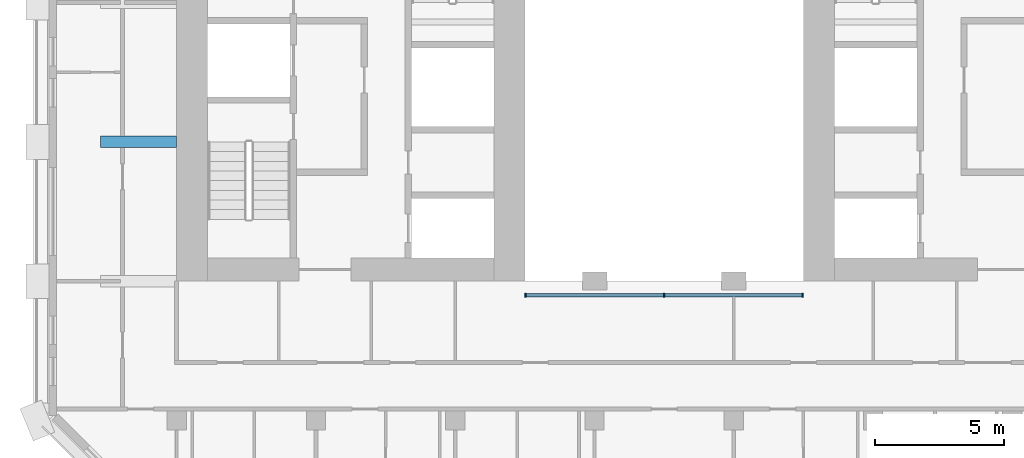
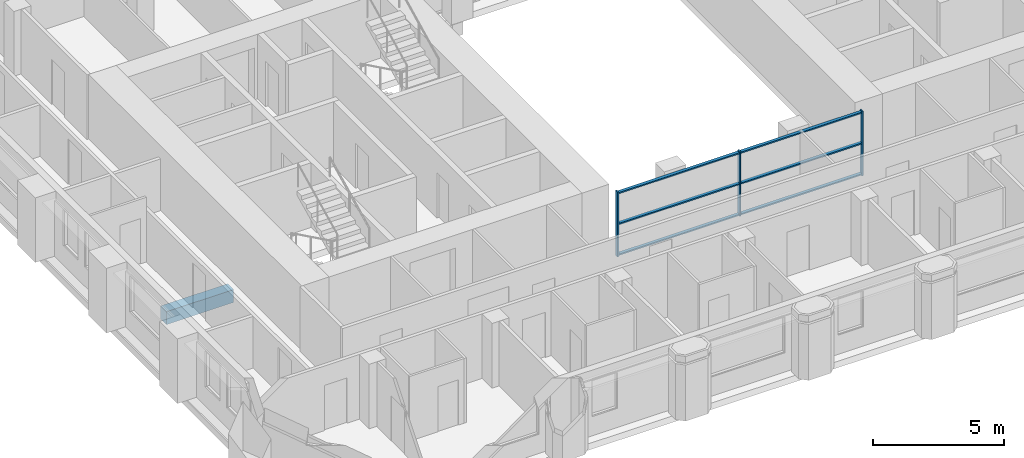
# One storey, part 2 of 13: 9 members, 1 beam, 1 element without a shape of its own.
"""IFC4 building model written with IfcOpenShell, lengths in metres."""

from ifc_helpers import new_model, si_unit, direction, frame, origin, origin_2d, place, context, subcontext, project, spatial, rectangle, extrude, material, material_profile, profile_set, type_object, element, aggregate, save


model = new_model("IFC4")

# Units and contexts
model_context = context("Model", 3, precision=1e-05, world=origin(), true_north=direction((0.0, 1.0)))
body_context = subcontext(model_context, "Body", "Model", "MODEL_VIEW")
ifc_project = project(units=[si_unit("LENGTHUNIT", "METRE"), si_unit("AREAUNIT", "SQUARE_METRE"), si_unit("VOLUMEUNIT", "CUBIC_METRE"), si_unit("PLANEANGLEUNIT", "RADIAN"), si_unit("MASSUNIT", "GRAM", prefix="KILO")], contexts=[model_context])

# Site, building, storey
site_placement = place(None, origin())
site = spatial("IfcSite", under=ifc_project, at=site_placement, CompositionType="ELEMENT")
building_placement = place(site_placement, origin())
building = spatial("IfcBuilding", under=site, at=building_placement, Name="Tabaq Tower and Sports Hall", CompositionType="ELEMENT")
storey_placement = place(building_placement, frame((0.0, 0.0, 220.300048828125)))
storey = spatial("IfcBuildingStorey", under=building, at=storey_placement, Name="L55", CompositionType="ELEMENT", Elevation=220.300048828125)

# Curtain wall, members
ifc_material_1 = material(Name="Aluminium alloy 6063-T6 framed glazing", Category="aluminium")
curtain_wall_type = type_object("IfcCurtainWallType", Name="CW1 curtain wall", PredefinedType="USERDEFINED", material=ifc_material_1)
curtain_wall_placement = place(storey_placement, origin())
curtain_wall = element("IfcCurtainWall", 1, at=curtain_wall_placement, inside=storey, type_object=curtain_wall_type, Name="Atrium glazing L55 S", ObjectType="ATRIUM ENCLOSURE", PredefinedType="USERDEFINED")
ifc_material_2 = material(Name="Aluminium alloy 6063-T6", Category="aluminium")
ifc_material_profile_1 = material_profile(ifc_material_2, rectangle(XDim=0.159912109375, YDim=0.06005859375, at=origin_2d()), Name="MULLION 160x60")
ifc_profile_set_1 = profile_set([ifc_material_profile_1], Name="Aluminium alloy 6063-T6")
member_type_1 = type_object("IfcMemberType", Name="CW1 mullion 160x60", PredefinedType="MULLION", material=ifc_profile_set_1)
member_1_placement = place(storey_placement, frame((18.929931640625, 15.64990234375, 0.0), z_axis=(0.0, 0.0, 1.0), x_axis=(0.0, 1.0, 0.0)))
member_1 = element("IfcMember", 2, at=member_1_placement, type_object=member_type_1, Name="CW1 mullion 1", PredefinedType="MULLION", context=body_context, shape_type="SweptSolid", body=[
    extrude(rectangle(XDim=0.159912109375, YDim=0.06005859375, at=origin_2d()), origin(), (0.0, 0.0, 1.0), 3.0),
])
member_2_placement = place(storey_placement, frame((24.300048828125, 15.64990234375, 0.0), z_axis=(0.0, 0.0, 1.0), x_axis=(0.0, 1.0, 0.0)))
member_2 = element("IfcMember", 3, at=member_2_placement, type_object=member_type_1, Name="CW1 mullion 2", PredefinedType="MULLION", context=body_context, shape_type="SweptSolid", body=[
    extrude(rectangle(XDim=0.159912109375, YDim=0.06005859375, at=origin_2d()), origin(), (0.0, 0.0, 1.0), 3.0),
])
member_3_placement = place(storey_placement, frame((29.669921875, 15.64990234375, 0.0), z_axis=(0.0, 0.0, 1.0), x_axis=(0.0, 1.0, 0.0)))
member_3 = element("IfcMember", 4, at=member_3_placement, type_object=member_type_1, Name="CW1 mullion 3", PredefinedType="MULLION", context=body_context, shape_type="SweptSolid", body=[
    extrude(rectangle(XDim=0.159912109375, YDim=0.06005859375, at=origin_2d()), origin(), (0.0, 0.0, 1.0), 3.0),
])
ifc_material_3 = material(Name="Aluminium alloy 6063-T6", Category="aluminium")
ifc_material_profile_2 = material_profile(ifc_material_3, rectangle(XDim=0.139892578125, YDim=0.06005859375, at=origin_2d()), Name="TRANSOM 140x60")
ifc_profile_set_2 = profile_set([ifc_material_profile_2], Name="Aluminium alloy 6063-T6")
member_type_2 = type_object("IfcMemberType", Name="CW1 transom 140x60", PredefinedType="USERDEFINED", material=ifc_profile_set_2)
member_4_placement = place(storey_placement, frame((18.9599609375, 15.64990234375, 0.070068359375), z_axis=(1.0, 0.0, 0.0), x_axis=(0.0, 1.0, 0.0)))
member_4 = element("IfcMember", 5, at=member_4_placement, type_object=member_type_2, Name="CW1 transom 1.1", ObjectType="TRANSOM", PredefinedType="USERDEFINED", context=body_context, shape_type="SweptSolid", body=[
    extrude(rectangle(XDim=0.139892578125, YDim=0.06005859375, at=origin_2d()), origin(), (0.0, 0.0, 1.0), 5.31005859375),
])
member_5_placement = place(storey_placement, frame((18.9599609375, 15.64990234375, 1.5), z_axis=(1.0, 0.0, 0.0), x_axis=(0.0, 1.0, 0.0)))
member_5 = element("IfcMember", 6, at=member_5_placement, type_object=member_type_2, Name="CW1 transom 1.2", ObjectType="TRANSOM", PredefinedType="USERDEFINED", context=body_context, shape_type="SweptSolid", body=[
    extrude(rectangle(XDim=0.139892578125, YDim=0.06005859375, at=origin_2d()), origin(), (0.0, 0.0, 1.0), 5.31005859375),
])
member_6_placement = place(storey_placement, frame((18.9599609375, 15.64990234375, 2.929931640625), z_axis=(1.0, 0.0, 0.0), x_axis=(0.0, 1.0, 0.0)))
member_6 = element("IfcMember", 7, at=member_6_placement, type_object=member_type_2, Name="CW1 transom 1.3", ObjectType="TRANSOM", PredefinedType="USERDEFINED", context=body_context, shape_type="SweptSolid", body=[
    extrude(rectangle(XDim=0.139892578125, YDim=0.06005859375, at=origin_2d()), origin(), (0.0, 0.0, 1.0), 5.31005859375),
])
member_7_placement = place(storey_placement, frame((24.330078125, 15.64990234375, 0.070068359375), z_axis=(1.0, 0.0, 0.0), x_axis=(0.0, 1.0, 0.0)))
member_7 = element("IfcMember", 8, at=member_7_placement, type_object=member_type_2, Name="CW1 transom 2.1", ObjectType="TRANSOM", PredefinedType="USERDEFINED", context=body_context, shape_type="SweptSolid", body=[
    extrude(rectangle(XDim=0.139892578125, YDim=0.06005859375, at=origin_2d()), origin(), (0.0, 0.0, 1.0), 5.309814453125),
])
member_8_placement = place(storey_placement, frame((24.330078125, 15.64990234375, 1.5), z_axis=(1.0, 0.0, 0.0), x_axis=(0.0, 1.0, 0.0)))
member_8 = element("IfcMember", 9, at=member_8_placement, type_object=member_type_2, Name="CW1 transom 2.2", ObjectType="TRANSOM", PredefinedType="USERDEFINED", context=body_context, shape_type="SweptSolid", body=[
    extrude(rectangle(XDim=0.139892578125, YDim=0.06005859375, at=origin_2d()), origin(), (0.0, 0.0, 1.0), 5.309814453125),
])
member_9_placement = place(storey_placement, frame((24.330078125, 15.64990234375, 2.929931640625), z_axis=(1.0, 0.0, 0.0), x_axis=(0.0, 1.0, 0.0)))
member_9 = element("IfcMember", 10, at=member_9_placement, type_object=member_type_2, Name="CW1 transom 2.3", ObjectType="TRANSOM", PredefinedType="USERDEFINED", context=body_context, shape_type="SweptSolid", body=[
    extrude(rectangle(XDim=0.139892578125, YDim=0.06005859375, at=origin_2d()), origin(), (0.0, 0.0, 1.0), 5.309814453125),
])
aggregate(curtain_wall, [member_1, member_2, member_3, member_4, member_5, member_6, member_7, member_8, member_9])

# Beam
ifc_material_4 = material(Name="Concrete C40/50", Category="concrete")
ifc_material_profile_3 = material_profile(ifc_material_4, rectangle(XDim=0.449951171875, YDim=0.60009765625, at=origin_2d()), Name="CB 450x600")
ifc_profile_set_3 = profile_set([ifc_material_profile_3], Name="Concrete C40/50")
beam_type = type_object("IfcBeamType", Name="PT CANTILEVER BEAM CB 450x600 C40/50", PredefinedType="BEAM", material=ifc_profile_set_3)
beam_placement = place(storey_placement, frame((2.449951171875, 21.60009765625, -0.60009765625), z_axis=(1.0, 0.0, 0.0), x_axis=(0.0, 1.0, 0.0)))
element("IfcBeam", 11, at=beam_placement, inside=storey, type_object=beam_type, Name="Cantilever Beam L55 W4 span 1", PredefinedType="BEAM", context=body_context, shape_type="SweptSolid", body=[
    extrude(rectangle(XDim=0.449951171875, YDim=0.60009765625, at=origin_2d()), origin(), (0.0, 0.0, 1.0), 2.949951171875),
])

save(model, "model.ifc")
